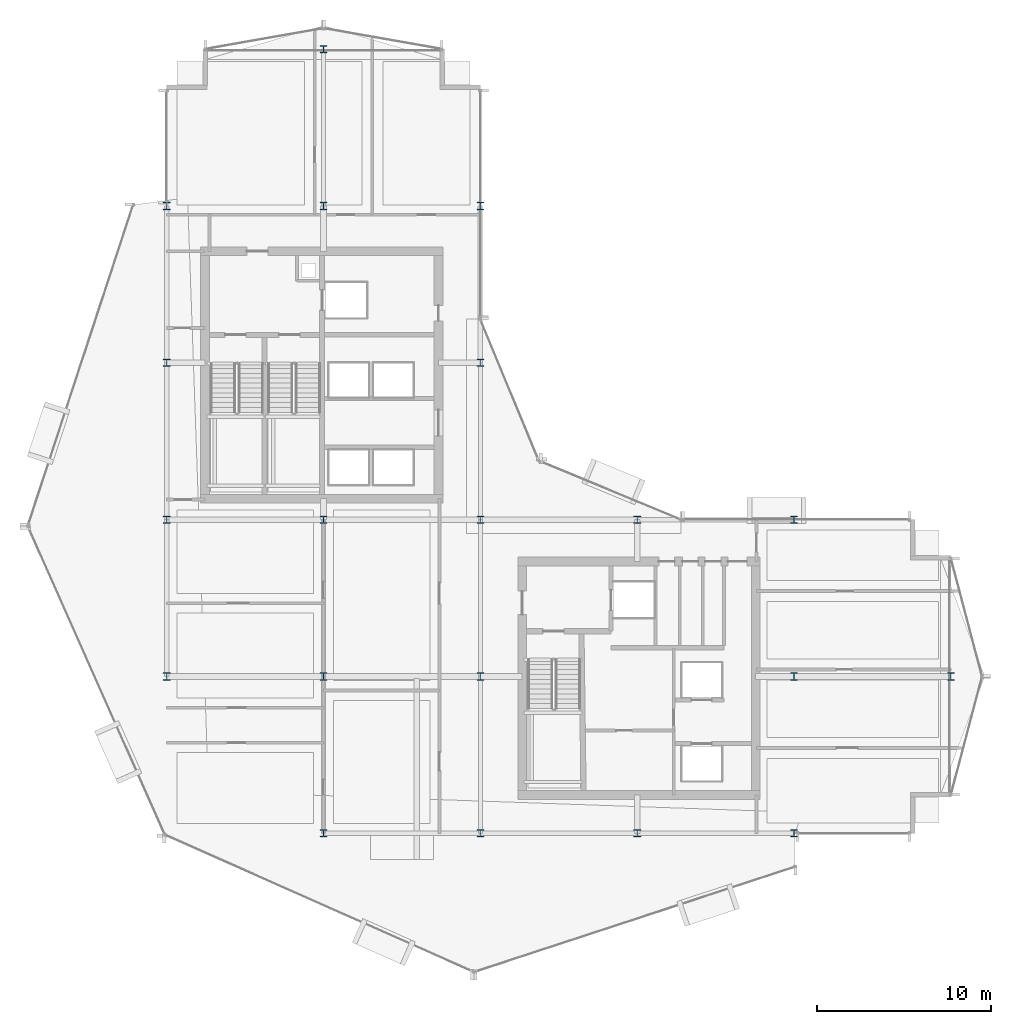
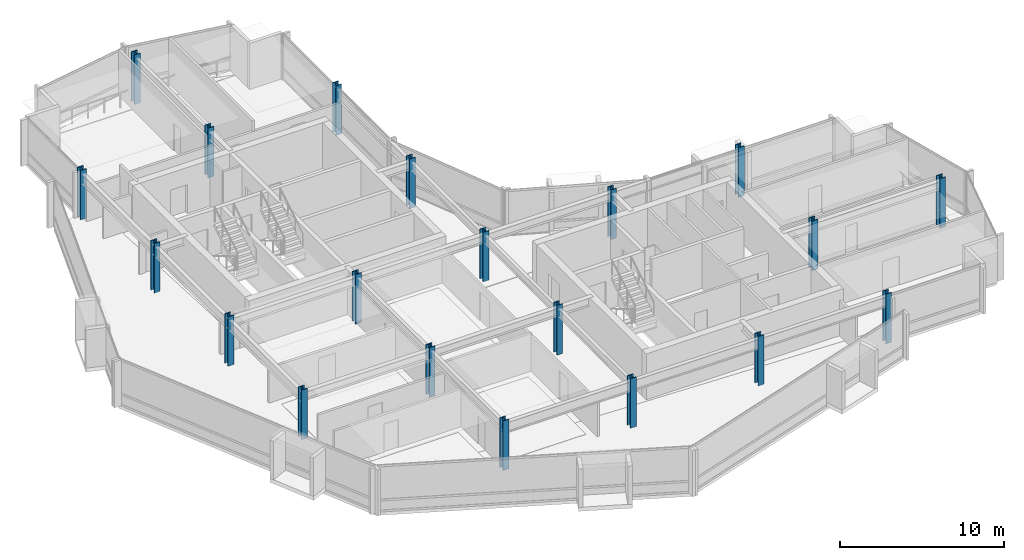
# One storey, part 1 of 29: 20 columns.
"""IFC4 building model written with IfcOpenShell, lengths in metres."""

from ifc_helpers import new_model, si_unit, direction, frame, origin, origin_2d, place, context, subcontext, project, spatial, i_section, extrude, material, material_profile, profile_set, type_object, element, save


model = new_model("IFC4")

# Units and contexts
model_context = context("Model", 3, precision=1e-05, world=origin(), true_north=direction((0.0, 1.0)))
body_context = subcontext(model_context, "Body", "Model", "MODEL_VIEW")
ifc_project = project(units=[si_unit("LENGTHUNIT", "METRE"), si_unit("AREAUNIT", "SQUARE_METRE"), si_unit("VOLUMEUNIT", "CUBIC_METRE"), si_unit("PLANEANGLEUNIT", "RADIAN"), si_unit("MASSUNIT", "GRAM", prefix="KILO")], contexts=[model_context])

# Site, building, storey
site_placement = place(None, origin())
site = spatial("IfcSite", under=ifc_project, at=site_placement, CompositionType="ELEMENT")
building_placement = place(site_placement, origin())
building = spatial("IfcBuilding", under=site, at=building_placement, Name="Solvaryn Broadcast Tower", CompositionType="ELEMENT")
storey_placement = place(building_placement, frame((0.0, 0.0, 147.0)))
storey = spatial("IfcBuildingStorey", under=building, at=storey_placement, Name="L36", CompositionType="ELEMENT", Elevation=147.0)

# Columns
ifc_material_1 = material(Name="Steel ASTM A913 Grade 65", Category="steel")
ifc_material_profile_1 = material_profile(ifc_material_1, i_section(OverallWidth=0.412109375, OverallDepth=0.43505859375, WebThickness=0.035888671875, FlangeThickness=0.057373046875, FilletRadius=0.014892578125, at=origin_2d()))
ifc_profile_set_1 = profile_set([ifc_material_profile_1], Name="Steel ASTM A913 Grade 65")
column_type_1 = type_object("IfcColumnType", Name="COL-C06E-W14X311", PredefinedType="COLUMN", material=ifc_profile_set_1)
for number, where, z_axis, x_axis, name in (
    (1, (9.0, 18.0, 0.0), (0.0, 0.0, 1.0), (1.0, 0.0, 0.0), "L36 Column (9.0, 18.0)"),
    (2, (9.0, 27.0, 0.0), (0.0, 0.0, 1.0), (1.0, 0.0, 0.0), "L36 Column (9.0, 27.0)"),
    (3, (9.0, 36.0, 0.0), (0.0, 0.0, 1.0), (1.0, 0.0, 0.0), "L36 Column (9.0, 36.0)"),
    (4, (9.0, 45.0, 0.0), (0.0, 0.0, 1.0), (1.0, 0.0, 0.0), "L36 Column (9.0, 45.0)"),
    (5, (18.0, 9.0, 0.0), (0.0, 0.0, 1.0), (1.0, 0.0, 0.0), "L36 Column (18.0, 9.0)"),
    (6, (18.0, 54.0, 0.0), (0.0, 0.0, 1.0), (1.0, 0.0, 0.0), "L36 Column (18.0, 54.0)"),
    (7, (27.0, 9.0, 0.0), (0.0, 0.0, 1.0), (1.0, 0.0, 0.0), "L36 Column (27.0, 9.0)"),
    (8, (27.0, 36.0, 0.0), (0.0, 0.0, 1.0), (1.0, 0.0, 0.0), "L36 Column (27.0, 36.0)"),
    (9, (27.0, 45.0, 0.0), (0.0, 0.0, 1.0), (1.0, 0.0, 0.0), "L36 Column (27.0, 45.0)"),
    (10, (36.0, 9.0, 0.0), (0.0, 0.0, 1.0), (1.0, 0.0, 0.0), "L36 Column (36.0, 9.0)"),
    (11, (36.0, 27.0, 0.0), (0.0, 0.0, 1.0), (1.0, 0.0, 0.0), "L36 Column (36.0, 27.0)"),
    (12, (45.0, 9.0, 0.0), (0.0, 0.0, 1.0), (1.0, 0.0, 0.0), "L36 Column (45.0, 9.0)"),
    (13, (45.0, 27.0, 0.0), (0.0, 0.0, 1.0), (1.0, 0.0, 0.0), "L36 Column (45.0, 27.0)"),
    (14, (54.0, 18.0, 0.0), (0.0, 0.0, 1.0), (1.0, 0.0, 0.0), "L36 Column (54.0, 18.0)"),
):
    element("IfcColumn", number, at=place(storey_placement, frame(where, z_axis=z_axis, x_axis=x_axis)), inside=storey, type_object=column_type_1, Name=name, PredefinedType="COLUMN", context=body_context, shape_type="SweptSolid", body=[
        extrude(i_section(OverallWidth=0.412109375, OverallDepth=0.43505859375, WebThickness=0.035888671875, FlangeThickness=0.057373046875, FilletRadius=0.014892578125, at=origin_2d()), origin(), (0.0, 0.0, 1.0), 3.699951171875),
    ])
ifc_material_2 = material(Name="Steel ASTM A913 Grade 65", Category="steel")
ifc_material_profile_2 = material_profile(ifc_material_2, i_section(OverallWidth=0.412109375, OverallDepth=0.43505859375, WebThickness=0.035888671875, FlangeThickness=0.057373046875, FilletRadius=0.014892578125, at=origin_2d()))
ifc_profile_set_2 = profile_set([ifc_material_profile_2], Name="Steel ASTM A913 Grade 65")
column_type_2 = type_object("IfcColumnType", Name="COL-C06I-W14X311", PredefinedType="COLUMN", material=ifc_profile_set_2)
for number, where, z_axis, x_axis, name in (
    (15, (18.0, 18.0, 0.0), (0.0, 0.0, 1.0), (1.0, 0.0, 0.0), "L36 Column (18.0, 18.0)"),
    (16, (18.0, 27.0, 0.0), (0.0, 0.0, 1.0), (1.0, 0.0, 0.0), "L36 Column (18.0, 27.0)"),
    (17, (18.0, 45.0, 0.0), (0.0, 0.0, 1.0), (1.0, 0.0, 0.0), "L36 Column (18.0, 45.0)"),
    (18, (27.0, 18.0, 0.0), (0.0, 0.0, 1.0), (1.0, 0.0, 0.0), "L36 Column (27.0, 18.0)"),
    (19, (27.0, 27.0, 0.0), (0.0, 0.0, 1.0), (1.0, 0.0, 0.0), "L36 Column (27.0, 27.0)"),
    (20, (45.0, 18.0, 0.0), (0.0, 0.0, 1.0), (1.0, 0.0, 0.0), "L36 Column (45.0, 18.0)"),
):
    element("IfcColumn", number, at=place(storey_placement, frame(where, z_axis=z_axis, x_axis=x_axis)), inside=storey, type_object=column_type_2, Name=name, PredefinedType="COLUMN", context=body_context, shape_type="SweptSolid", body=[
        extrude(i_section(OverallWidth=0.412109375, OverallDepth=0.43505859375, WebThickness=0.035888671875, FlangeThickness=0.057373046875, FilletRadius=0.014892578125, at=origin_2d()), origin(), (0.0, 0.0, 1.0), 3.699951171875),
    ])

save(model, "model.ifc")
